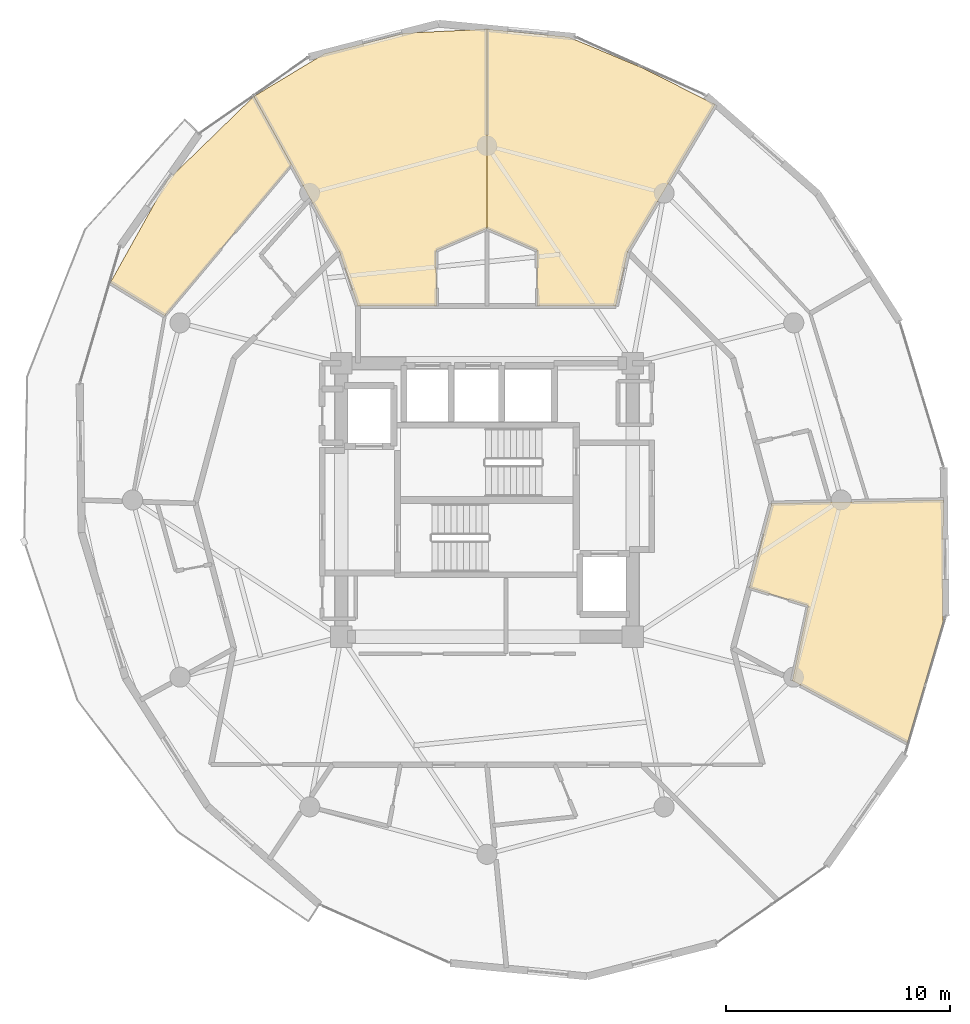
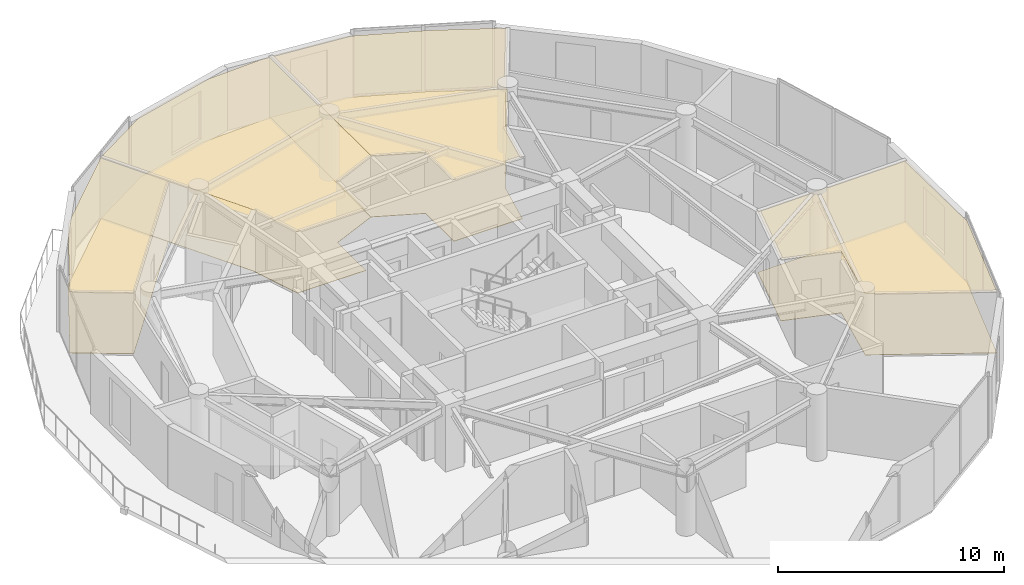
# One storey, part 21 of 21: 8 coverings.
"""IFC4 building model written with IfcOpenShell, lengths in metres."""

from ifc_helpers import new_model, si_unit, direction, frame, origin, place, context, subcontext, project, spatial, polyline, outline, extrude, material, layer, layer_set, type_object, element, save


model = new_model("IFC4")

# Units and contexts
model_context = context("Model", 3, precision=1e-05, world=origin(), true_north=direction((0.0, 1.0)))
body_context = subcontext(model_context, "Body", "Model", "MODEL_VIEW")
ifc_project = project(units=[si_unit("LENGTHUNIT", "METRE"), si_unit("AREAUNIT", "SQUARE_METRE"), si_unit("VOLUMEUNIT", "CUBIC_METRE"), si_unit("PLANEANGLEUNIT", "RADIAN"), si_unit("MASSUNIT", "GRAM", prefix="KILO")], contexts=[model_context])

# Site, building, storey
site_placement = place(None, origin())
site = spatial("IfcSite", under=ifc_project, at=site_placement, CompositionType="ELEMENT")
building_placement = place(site_placement, origin())
building = spatial("IfcBuilding", under=site, at=building_placement, Name="Solvirekh Grand Hotel", CompositionType="ELEMENT")
storey_placement = place(building_placement, frame((0.0, 0.0, 205.60009765625)))
storey = spatial("IfcBuildingStorey", under=building, at=storey_placement, Name="L53", CompositionType="ELEMENT", Elevation=205.60009765625)

# Coverings
ifc_material_1 = material(Name="Acoustic Mineral Ceiling Tile")
ifc_layer_1 = layer(ifc_material_1, 0.02490234375)
ifc_layer_set_1 = layer_set([ifc_layer_1], Name="Acoustic Mineral Ceiling Tile")
covering_type_1 = type_object("IfcCoveringType", Name="Cov_Ceiling_Acoustic", PredefinedType="CEILING", material=ifc_layer_set_1)
covering_1_placement = place(storey_placement, frame((0.0, 0.0, 3.309814453125)))
element("IfcCovering", 1, at=covering_1_placement, inside=storey, type_object=covering_type_1, Name="L53 Deluxe Guestroom 5501 acoustic ceiling", PredefinedType="CEILING", context=body_context, shape_type="SweptSolid", body=[
    extrude(outline(polyline([(0.0, 12.10693359375), (2.235107421875, 11.134033203125), (2.25, 8.64990234375), (5.75, 8.64990234375), (6.27490234375, 11.06494140625), (10.177978515625, 17.6279296875), (7.001953125, 19.237060546875), (3.639892578125, 20.64306640625), (0.0, 20.9951171875), (0.0, 12.10693359375)])), origin(), (0.0, 0.0, 1.0), 0.01806640625),
])
covering_2_placement = place(storey_placement, frame((0.0, 0.0, 3.309814453125)))
element("IfcCovering", 2, at=covering_2_placement, inside=storey, type_object=covering_type_1, Name="L53 Panorama Suite 5502 acoustic ceiling", PredefinedType="CEILING", context=body_context, shape_type="SweptSolid", body=[
    extrude(outline(polyline([(-2.25, 8.64990234375), (-2.263916015625, 11.134033203125), (0.0, 12.10693359375), (0.0, 20.9951171875), (-3.6708984375, 20.81689453125), (-7.241943359375, 19.89697265625), (-10.39111328125, 17.9970703125), (-6.574951171875, 11.06494140625), (-5.75, 8.64990234375), (-2.25, 8.64990234375)])), origin(), (0.0, 0.0, 1.0), 0.01806640625),
])
covering_3_placement = place(storey_placement, frame((0.0, 0.0, 3.309814453125)))
element("IfcCovering", 3, at=covering_3_placement, inside=storey, type_object=covering_type_1, Name="L53 Executive Suite 5503 Master Bedroom acoustic ceiling", PredefinedType="CEILING", context=body_context, shape_type="SweptSolid", body=[
    extrude(outline(polyline([(-10.39111328125, 17.9970703125), (-14.248046875, 14.248046875), (-16.7900390625, 9.694091796875), (-14.364990234375, 8.2119140625), (-8.7119140625, 14.947021484375), (-10.39111328125, 17.9970703125)])), origin(), (0.0, 0.0, 1.0), 0.01806640625),
])
covering_4_placement = place(storey_placement, frame((0.0, 0.0, 3.309814453125)))
element("IfcCovering", 4, at=covering_4_placement, inside=storey, type_object=covering_type_1, Name="L53 Deluxe Guestroom 5505 acoustic ceiling", PredefinedType="CEILING", context=body_context, shape_type="SweptSolid", body=[
    extrude(outline(polyline([(14.327880859375, -4.712890625), (13.6220703125, -8.053955078125), (18.7548828125, -10.827880859375), (20.339111328125, -5.449951171875), (20.35302734375, 0.0), (12.699951171875, -0.14990234375), (11.700927734375, -3.906005859375), (14.327880859375, -4.712890625)])), origin(), (0.0, 0.0, 1.0), 0.01806640625),
])
ifc_material_2 = material(Name="Porcelain Stoneware Flooring", Category="masonry")
ifc_layer_2 = layer(ifc_material_2, 0.030029296875)
ifc_layer_set_2 = layer_set([ifc_layer_2], Name="Porcelain Stoneware Flooring")
covering_type_2 = type_object("IfcCoveringType", Name="Cov_Floor_Stone", PredefinedType="FLOORING", material=ifc_layer_set_2)
covering_5_placement = place(storey_placement, origin())
element("IfcCovering", 5, at=covering_5_placement, inside=storey, type_object=covering_type_2, Name="L53 Deluxe Guestroom 5501 polished granite flooring", PredefinedType="FLOORING", context=body_context, shape_type="SweptSolid", body=[
    extrude(outline(polyline([(0.0, 12.10693359375), (2.235107421875, 11.134033203125), (2.25, 8.64990234375), (5.75, 8.64990234375), (6.27490234375, 11.06494140625), (10.177978515625, 17.6279296875), (7.001953125, 19.237060546875), (3.639892578125, 20.64306640625), (0.0, 20.9951171875), (0.0, 12.10693359375)])), origin(), (0.0, 0.0, 1.0), 0.02001953125),
])
covering_6_placement = place(storey_placement, origin())
element("IfcCovering", 6, at=covering_6_placement, inside=storey, type_object=covering_type_2, Name="L53 Panorama Suite 5502 polished granite flooring", PredefinedType="FLOORING", context=body_context, shape_type="SweptSolid", body=[
    extrude(outline(polyline([(-2.25, 8.64990234375), (-2.263916015625, 11.134033203125), (0.0, 12.10693359375), (0.0, 20.9951171875), (-3.6708984375, 20.81689453125), (-7.241943359375, 19.89697265625), (-10.39111328125, 17.9970703125), (-6.574951171875, 11.06494140625), (-5.75, 8.64990234375), (-2.25, 8.64990234375)])), origin(), (0.0, 0.0, 1.0), 0.02001953125),
])
covering_7_placement = place(storey_placement, origin())
element("IfcCovering", 7, at=covering_7_placement, inside=storey, type_object=covering_type_2, Name="L53 Executive Suite 5503 Master Bedroom polished granite flooring", PredefinedType="FLOORING", context=body_context, shape_type="SweptSolid", body=[
    extrude(outline(polyline([(-10.39111328125, 17.9970703125), (-14.248046875, 14.248046875), (-16.7900390625, 9.694091796875), (-14.364990234375, 8.2119140625), (-8.7119140625, 14.947021484375), (-10.39111328125, 17.9970703125)])), origin(), (0.0, 0.0, 1.0), 0.02001953125),
])
covering_8_placement = place(storey_placement, origin())
element("IfcCovering", 8, at=covering_8_placement, inside=storey, type_object=covering_type_2, Name="L53 Deluxe Guestroom 5505 polished granite flooring", PredefinedType="FLOORING", context=body_context, shape_type="SweptSolid", body=[
    extrude(outline(polyline([(14.327880859375, -4.712890625), (13.6220703125, -8.053955078125), (18.7548828125, -10.827880859375), (20.339111328125, -5.449951171875), (20.35302734375, 0.0), (12.699951171875, -0.14990234375), (11.700927734375, -3.906005859375), (14.327880859375, -4.712890625)])), origin(), (0.0, 0.0, 1.0), 0.02001953125),
])

save(model, "model.ifc")
